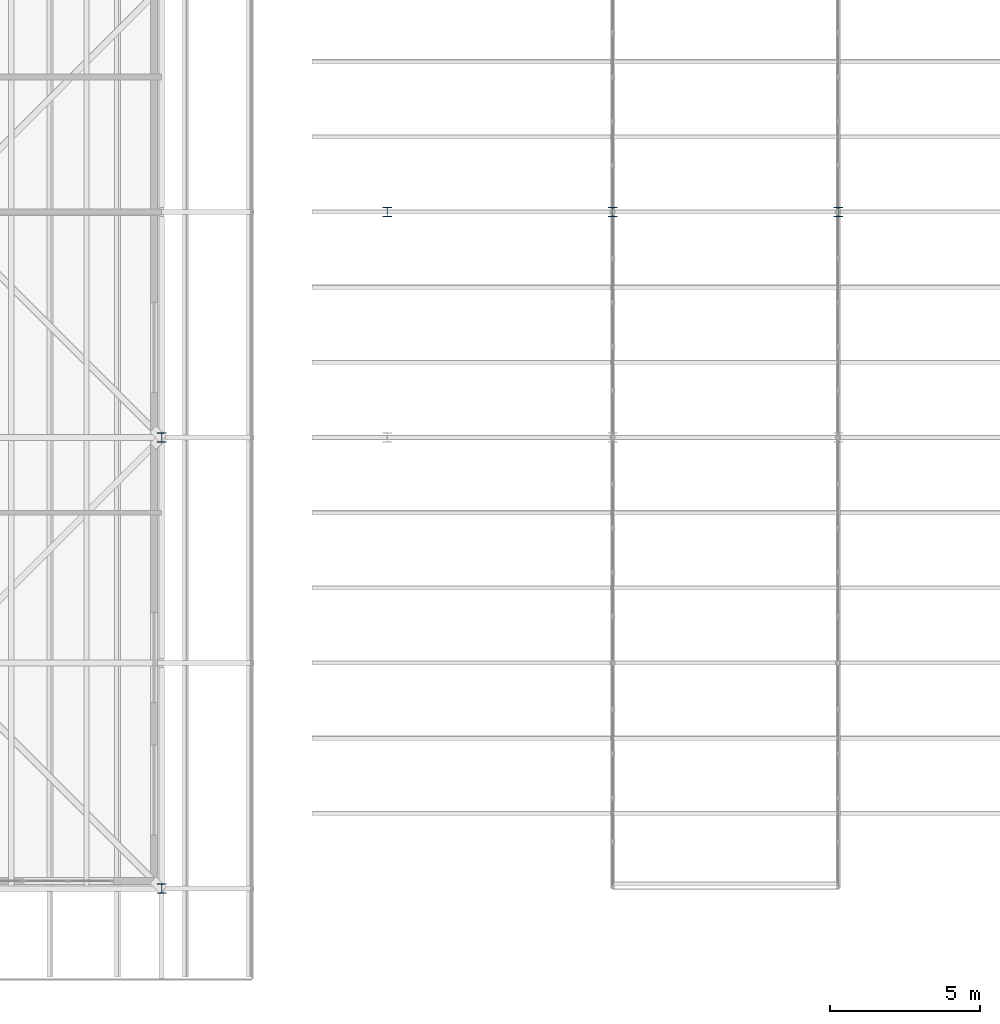
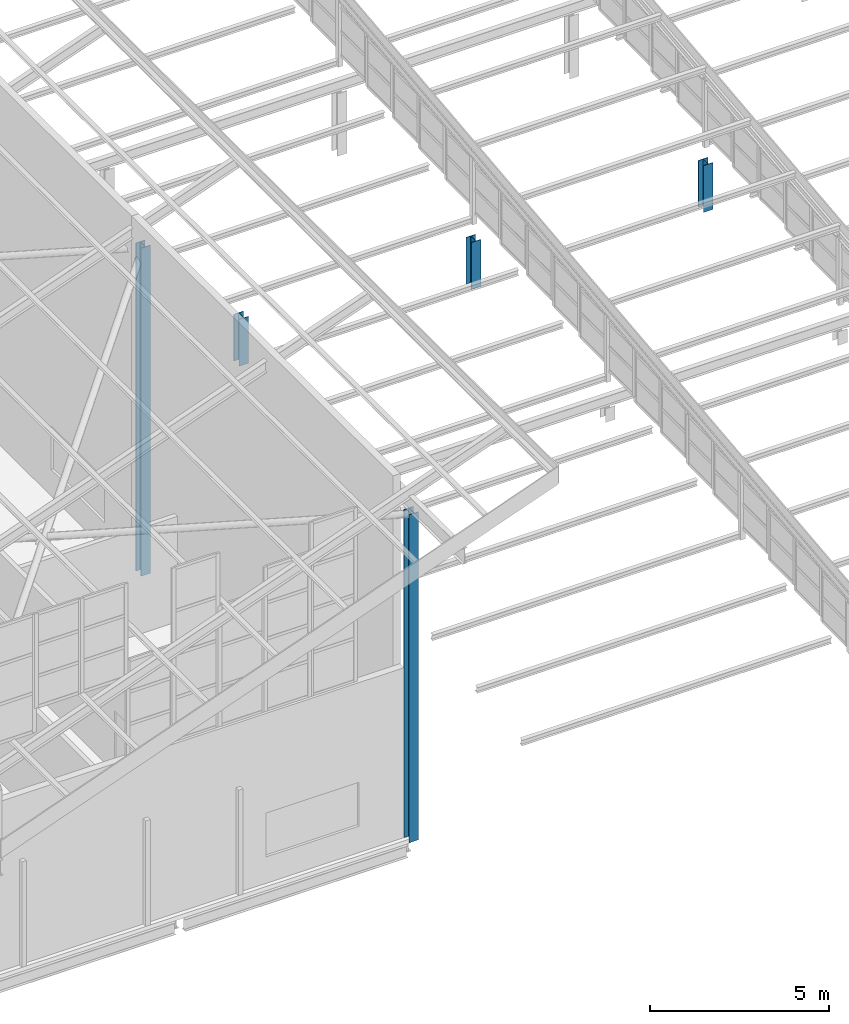
# One storey, part 8 of 483: 5 columns.
"""IFC4 building model written with IfcOpenShell, lengths in metres."""

from ifc_helpers import new_model, si_unit, direction, frame, origin, origin_2d, place, context, subcontext, project, spatial, i_section, extrude, material, material_profile, profile_set, type_object, element, save


model = new_model("IFC4")

# Units and contexts
model_context = context("Model", 3, precision=1e-05, world=origin(), true_north=direction((0.0, 1.0)))
body_context = subcontext(model_context, "Body", "Model", "MODEL_VIEW")
ifc_project = project(units=[si_unit("LENGTHUNIT", "METRE"), si_unit("AREAUNIT", "SQUARE_METRE"), si_unit("VOLUMEUNIT", "CUBIC_METRE"), si_unit("PLANEANGLEUNIT", "RADIAN"), si_unit("MASSUNIT", "GRAM", prefix="KILO")], contexts=[model_context])

# Site, building, storey
site_placement = place(None, origin())
site = spatial("IfcSite", under=ifc_project, at=site_placement, CompositionType="ELEMENT")
building_placement = place(site_placement, origin())
building = spatial("IfcBuilding", under=site, at=building_placement, Name="Parallax Yard Mobility Hub", CompositionType="ELEMENT")
storey_placement = place(building_placement, frame((0.0, 0.0, 13.199951171875)))
storey = spatial("IfcBuildingStorey", under=building, at=storey_placement, Name="L04", CompositionType="ELEMENT", Elevation=13.199951171875)

# Columns
ifc_material = material(Name="Steel ASTM A992", Category="steel")
ifc_material_profile = material_profile(ifc_material, i_section(OverallWidth=0.304931640625, OverallDepth=0.306884765625, WebThickness=0.010009765625, FlangeThickness=0.015380859375, FilletRadius=0.01513671875, at=origin_2d()), Name="W310x97")
ifc_profile_set = profile_set([ifc_material_profile], Name="Steel ASTM A992")
column_type = type_object("IfcColumnType", Name="W310x97 column", PredefinedType="COLUMN", material=ifc_profile_set)
for number, where, z_axis, x_axis, name in (
    (1, (142.5, 7.5, 0.0), (0.0, 0.0, 1.0), (1.0, 0.0, 0.0), "Roof column B/20 level L04"),
    (2, (142.5, 22.5, 0.0), (0.0, 0.0, 1.0), (1.0, 0.0, 0.0), "Roof column D/20 level L04"),
):
    element("IfcColumn", number, at=place(storey_placement, frame(where, z_axis=z_axis, x_axis=x_axis)), inside=storey, type_object=column_type, Name=name, PredefinedType="COLUMN", context=body_context, shape_type="SweptSolid", body=[
        extrude(i_section(OverallWidth=0.304931640625, OverallDepth=0.306884765625, WebThickness=0.010009765625, FlangeThickness=0.015380859375, FilletRadius=0.01513671875, at=origin_2d()), origin(), (0.0, 0.0, 1.0), 11.199951171875),
    ])
for number, where, z_axis, x_axis, name in (
    (3, (150.0, 30.0, 0.0), (0.0, 0.0, 1.0), (1.0, 0.0, 0.0), "Roof column E/21 level L04"),
    (4, (157.5, 30.0, 0.0), (0.0, 0.0, 1.0), (1.0, 0.0, 0.0), "Roof column E/22 level L04"),
    (5, (165.0, 30.0, 0.0), (0.0, 0.0, 1.0), (1.0, 0.0, 0.0), "Roof column E/23 level L04"),
):
    element("IfcColumn", number, at=place(storey_placement, frame(where, z_axis=z_axis, x_axis=x_axis)), inside=storey, type_object=column_type, Name=name, PredefinedType="COLUMN", context=body_context, shape_type="SweptSolid", body=[
        extrude(i_section(OverallWidth=0.304931640625, OverallDepth=0.306884765625, WebThickness=0.010009765625, FlangeThickness=0.015380859375, FilletRadius=0.01513671875, at=origin_2d()), origin(), (0.0, 0.0, 1.0), 1.594970703125),
    ])

save(model, "model.ifc")
